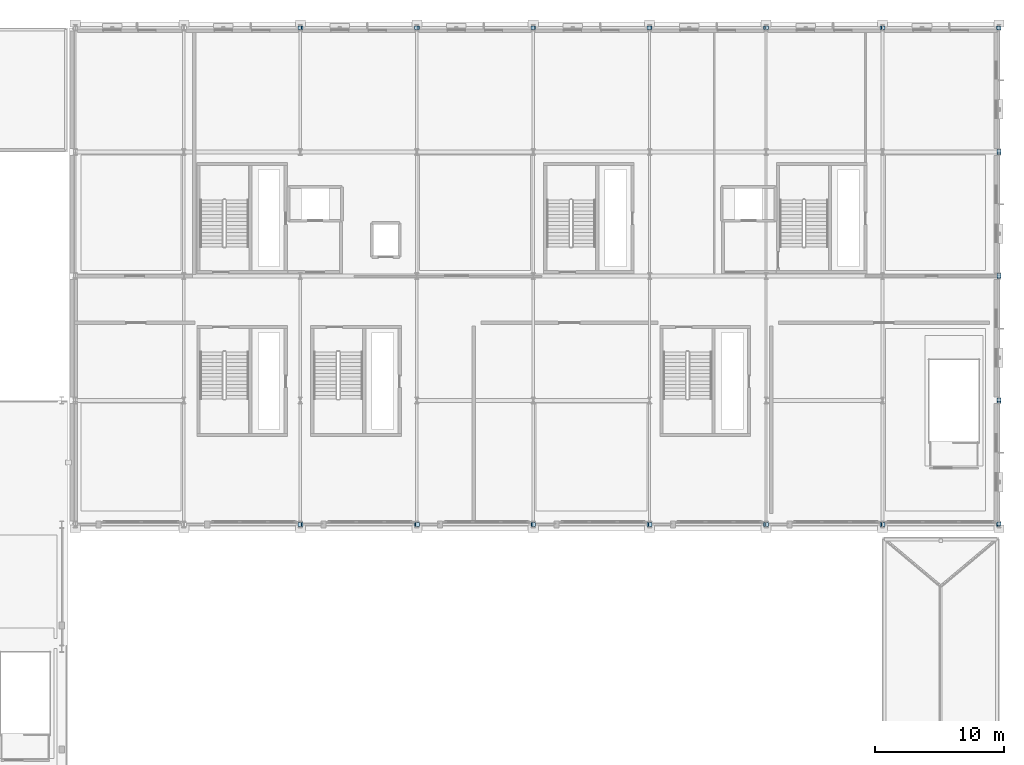
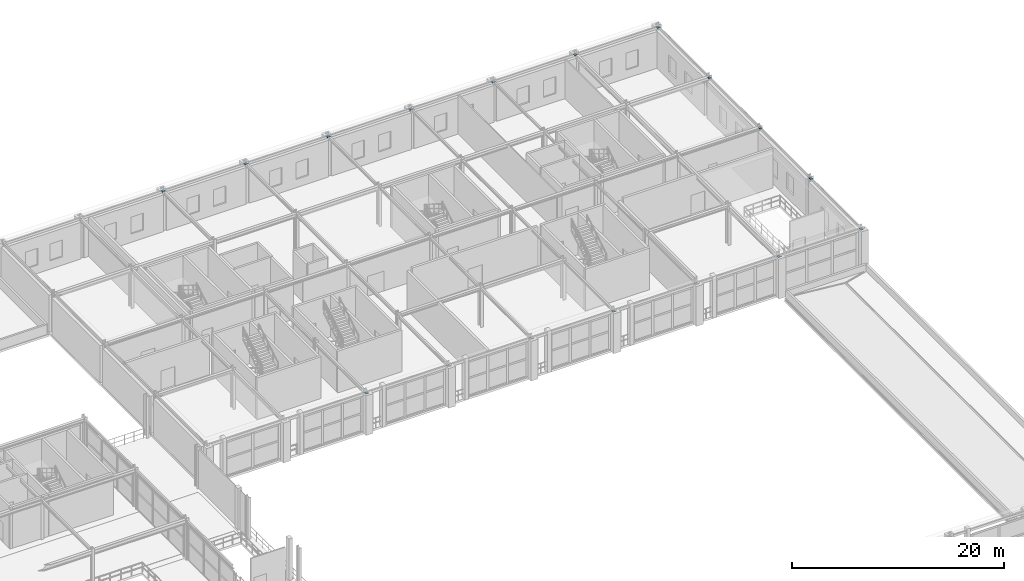
# One storey, part 72 of 125: 34 plates.
"""IFC4 building model written with IfcOpenShell, lengths in metres."""

from ifc_helpers import new_model, si_unit, direction, frame, origin, origin_2d, place, context, subcontext, project, spatial, rectangle, extrude, material, layer, layer_set, type_object, element, save


model = new_model("IFC4")

# Units and contexts
model_context = context("Model", 3, precision=1e-05, world=origin(), true_north=direction((0.0, 1.0)))
body_context = subcontext(model_context, "Body", "Model", "MODEL_VIEW")
ifc_project = project(units=[si_unit("LENGTHUNIT", "METRE"), si_unit("AREAUNIT", "SQUARE_METRE"), si_unit("VOLUMEUNIT", "CUBIC_METRE"), si_unit("PLANEANGLEUNIT", "RADIAN"), si_unit("MASSUNIT", "GRAM", prefix="KILO")], contexts=[model_context])

# Site, building, storey
site_placement = place(None, origin())
site = spatial("IfcSite", under=ifc_project, at=site_placement, CompositionType="ELEMENT")
building_placement = place(site_placement, origin())
building = spatial("IfcBuilding", under=site, at=building_placement, Name="Myrtia Square Station", CompositionType="ELEMENT")
storey_placement = place(building_placement, frame((0.0, 0.0, 6.0)))
storey = spatial("IfcBuildingStorey", under=building, at=storey_placement, Name="L01", CompositionType="ELEMENT", Elevation=6.0)

# Plates
ifc_material = material(Name="Steel S355", Category="steel")
ifc_layer = layer(ifc_material, 0.01611328125, Name="Steel S355")
ifc_layer_set = layer_set([ifc_layer], Name="Steel S355")
plate_type = type_object("IfcPlateType", Name="PLT-GUS16", PredefinedType="USERDEFINED", material=ifc_layer_set)
for number, where, z_axis, x_axis, name in (
    (1, (134.949951171875, 86.39990234375, 4.391845703125), (0.0, 0.0, 1.0), (1.0, 0.0, 0.0), "Truss node gusset plate SPN-L01-0173-2"),
    (2, (135.050048828125, 86.39990234375, 4.391845703125), (0.0, 0.0, 1.0), (1.0, 0.0, 0.0), "Truss node gusset plate SPN-L01-0174-1"),
    (3, (143.949951171875, 86.39990234375, 4.391845703125), (0.0, 0.0, 1.0), (1.0, 0.0, 0.0), "Truss node gusset plate SPN-L01-0174-2"),
    (4, (144.050048828125, 86.39990234375, 4.391845703125), (0.0, 0.0, 1.0), (1.0, 0.0, 0.0), "Truss node gusset plate SPN-L01-0175-1"),
    (5, (152.949951171875, 86.39990234375, 4.391845703125), (0.0, 0.0, 1.0), (1.0, 0.0, 0.0), "Truss node gusset plate SPN-L01-0175-2"),
    (6, (153.050048828125, 86.39990234375, 4.391845703125), (0.0, 0.0, 1.0), (1.0, 0.0, 0.0), "Truss node gusset plate SPN-L01-0176-1"),
    (7, (161.949951171875, 86.39990234375, 4.391845703125), (0.0, 0.0, 1.0), (1.0, 0.0, 0.0), "Truss node gusset plate SPN-L01-0176-2"),
    (8, (162.050048828125, 86.39990234375, 4.391845703125), (0.0, 0.0, 1.0), (1.0, 0.0, 0.0), "Truss node gusset plate SPN-L01-0177-1"),
    (9, (170.949951171875, 86.39990234375, 4.391845703125), (0.0, 0.0, 1.0), (1.0, 0.0, 0.0), "Truss node gusset plate SPN-L01-0177-2"),
    (10, (171.050048828125, 86.39990234375, 4.391845703125), (0.0, 0.0, 1.0), (1.0, 0.0, 0.0), "Truss node gusset plate SPN-L01-0178-1"),
    (11, (179.949951171875, 86.39990234375, 4.391845703125), (0.0, 0.0, 1.0), (1.0, 0.0, 0.0), "Truss node gusset plate SPN-L01-0178-2"),
    (12, (180.050048828125, 86.39990234375, 4.391845703125), (0.0, 0.0, 1.0), (1.0, 0.0, 0.0), "Truss node gusset plate SPN-L01-0179-1"),
    (13, (188.949951171875, 86.39990234375, 4.391845703125), (0.0, 0.0, 1.0), (1.0, 0.0, 0.0), "Truss node gusset plate SPN-L01-0179-2"),
    (14, (134.949951171875, 124.800048828125, 4.391845703125), (0.0, 0.0, 1.0), (1.0, 0.0, 0.0), "Truss node gusset plate SPN-L01-0181-2"),
    (15, (135.050048828125, 124.800048828125, 4.391845703125), (0.0, 0.0, 1.0), (1.0, 0.0, 0.0), "Truss node gusset plate SPN-L01-0182-1"),
    (16, (143.949951171875, 124.800048828125, 4.391845703125), (0.0, 0.0, 1.0), (1.0, 0.0, 0.0), "Truss node gusset plate SPN-L01-0182-2"),
    (17, (144.050048828125, 124.800048828125, 4.391845703125), (0.0, 0.0, 1.0), (1.0, 0.0, 0.0), "Truss node gusset plate SPN-L01-0183-1"),
    (18, (152.949951171875, 124.800048828125, 4.391845703125), (0.0, 0.0, 1.0), (1.0, 0.0, 0.0), "Truss node gusset plate SPN-L01-0183-2"),
    (19, (153.050048828125, 124.800048828125, 4.391845703125), (0.0, 0.0, 1.0), (1.0, 0.0, 0.0), "Truss node gusset plate SPN-L01-0184-1"),
    (20, (161.949951171875, 124.800048828125, 4.391845703125), (0.0, 0.0, 1.0), (1.0, 0.0, 0.0), "Truss node gusset plate SPN-L01-0184-2"),
    (21, (162.050048828125, 124.800048828125, 4.391845703125), (0.0, 0.0, 1.0), (1.0, 0.0, 0.0), "Truss node gusset plate SPN-L01-0185-1"),
    (22, (170.949951171875, 124.800048828125, 4.391845703125), (0.0, 0.0, 1.0), (1.0, 0.0, 0.0), "Truss node gusset plate SPN-L01-0185-2"),
    (23, (171.050048828125, 124.800048828125, 4.391845703125), (0.0, 0.0, 1.0), (1.0, 0.0, 0.0), "Truss node gusset plate SPN-L01-0186-1"),
    (24, (179.949951171875, 124.800048828125, 4.391845703125), (0.0, 0.0, 1.0), (1.0, 0.0, 0.0), "Truss node gusset plate SPN-L01-0186-2"),
    (25, (180.050048828125, 124.800048828125, 4.391845703125), (0.0, 0.0, 1.0), (1.0, 0.0, 0.0), "Truss node gusset plate SPN-L01-0187-1"),
    (26, (188.949951171875, 124.800048828125, 4.391845703125), (0.0, 0.0, 1.0), (1.0, 0.0, 0.0), "Truss node gusset plate SPN-L01-0187-2"),
    (27, (189.0, 86.449951171875, 4.4169921875), (0.0, 0.0, 1.0), (0.0, 1.0, 0.0), "Truss node gusset plate SPNY-L01-0192-1"),
    (28, (189.0, 95.949951171875, 4.4169921875), (0.0, 0.0, 1.0), (0.0, 1.0, 0.0), "Truss node gusset plate SPNY-L01-0192-2"),
    (29, (189.0, 96.050048828125, 4.4169921875), (0.0, 0.0, 1.0), (0.0, 1.0, 0.0), "Truss node gusset plate SPNY-L01-0193-1"),
    (30, (189.0, 105.550048828125, 4.4169921875), (0.0, 0.0, 1.0), (0.0, 1.0, 0.0), "Truss node gusset plate SPNY-L01-0193-2"),
    (31, (189.0, 105.64990234375, 4.4169921875), (0.0, 0.0, 1.0), (0.0, 1.0, 0.0), "Truss node gusset plate SPNY-L01-0194-1"),
    (32, (189.0, 115.14990234375, 4.4169921875), (0.0, 0.0, 1.0), (0.0, 1.0, 0.0), "Truss node gusset plate SPNY-L01-0194-2"),
    (33, (189.0, 115.25, 4.4169921875), (0.0, 0.0, 1.0), (0.0, 1.0, 0.0), "Truss node gusset plate SPNY-L01-0195-1"),
    (34, (189.0, 124.75, 4.4169921875), (0.0, 0.0, 1.0), (0.0, 1.0, 0.0), "Truss node gusset plate SPNY-L01-0195-2"),
):
    element("IfcPlate", number, at=place(storey_placement, frame(where, z_axis=z_axis, x_axis=x_axis)), inside=storey, type_object=plate_type, Name=name, ObjectType="GUSSET PLATE", PredefinedType="USERDEFINED", context=body_context, shape_type="SweptSolid", body=[
        extrude(rectangle(XDim=0.280029296875, YDim=0.280029296875, at=origin_2d()), origin(), (0.0, 0.0, 1.0), 0.01611328125),
    ])

save(model, "model.ifc")
